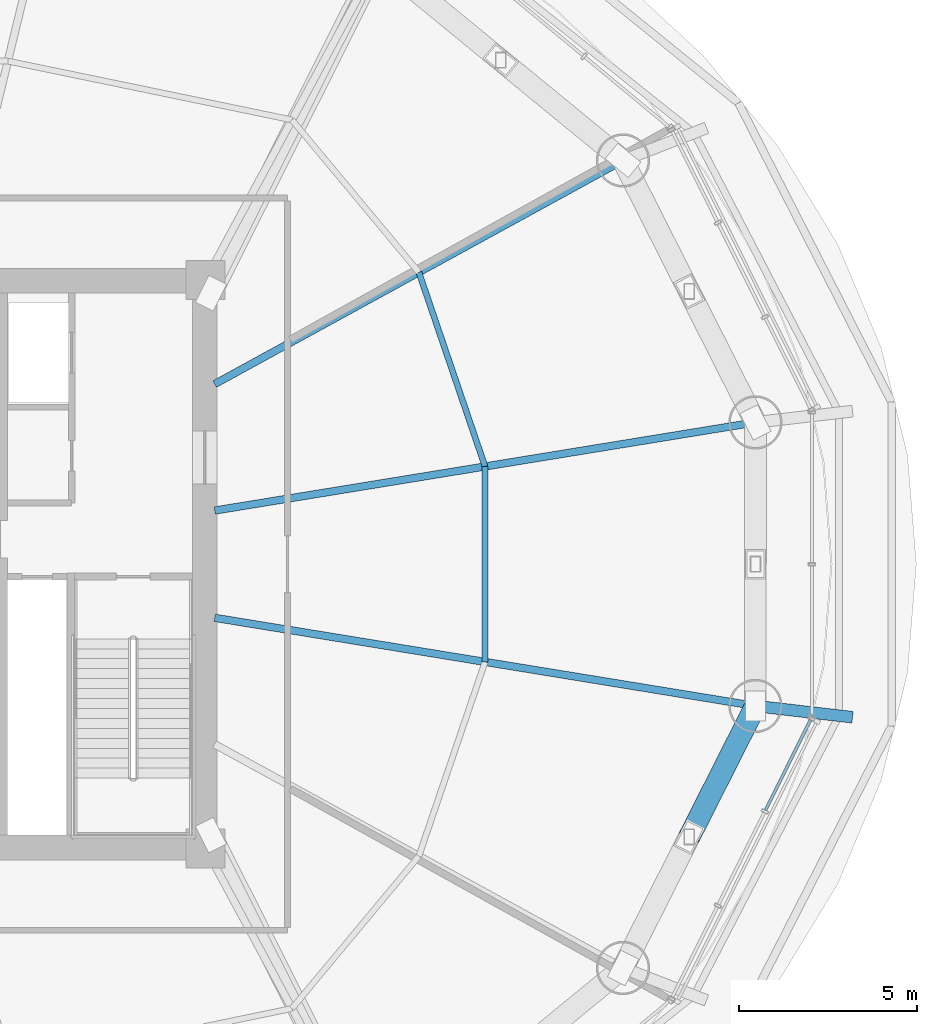
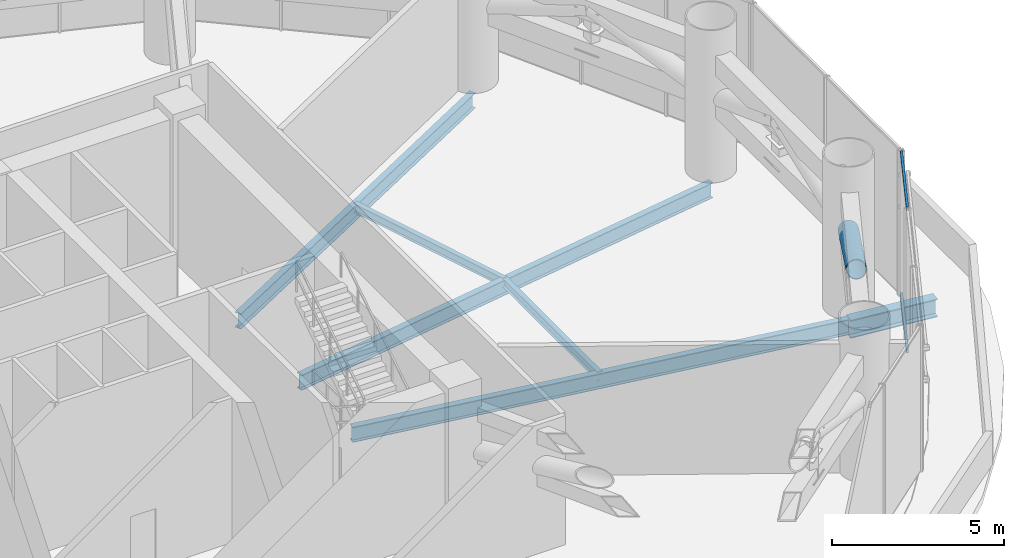
# One storey, part 16 of 33: 6 beams, 3 members, 1 element without a shape of its own.
"""IFC4 building model written with IfcOpenShell, lengths in metres."""

import ifcopenshell
import ifcopenshell.guid

model = None  # the IFC model being written
_history = None  # IfcOwnerHistory: only IFC2X3 demands one
_inside = {}  # id of a spatial element -> (the spatial element, [elements in it])
_under = {}  # id of a project, library or spatial element -> (it, [spatial elements below it])
_declared = {}  # id of a project -> (the project, [libraries it declares])
_typed = {}  # id of a type object -> (the type object, [elements of that type])
_made_of = {}  # id of a material, layer set ... -> (it, [elements and type objects made of it])


def new_model(schema):
    """Start an empty IFC model of exactly this schema.

    Asked for "IFC4X3", IfcOpenShell would pick the latest addendum, in which some entities
    have other attributes; the version numbers below select the first issue.
    IFC2X3 requires an IfcOwnerHistory on every rooted entity: one is made here for all.
    """
    global model, _history
    if schema == "IFC4X3":
        model = ifcopenshell.file(schema_version=(4, 3, 0, 0))
    else:
        model = ifcopenshell.file(schema=schema)
    _inside.clear()
    _under.clear()
    _declared.clear()
    _typed.clear()
    _made_of.clear()
    _history = None
    if model.schema == "IFC2X3":
        org = make("IfcOrganization", Name="unknown")
        user = make(
            "IfcPersonAndOrganization",
            ThePerson=make("IfcPerson", FamilyName="unknown"),
            TheOrganization=org,
        )
        app = make(
            "IfcApplication",
            ApplicationDeveloper=org,
            Version="unknown",
            ApplicationFullName="unknown",
            ApplicationIdentifier="unknown",
        )
        _history = make(
            "IfcOwnerHistory",
            OwningUser=user,
            OwningApplication=app,
            ChangeAction="ADDED",
            CreationDate=0,
        )
    return model


def make(cls, **values):
    """One entity of the class cls with the attributes given. An attribute that is None is left unset."""
    return model.create_entity(
        cls, **{name: value for name, value in values.items() if value is not None}
    )


def rooted(cls, **values):
    """An entity with a GlobalId (a new one), such as an element, a storey or a relation."""
    return make(cls, GlobalId=ifcopenshell.guid.new(), OwnerHistory=_history, **values)


def si_unit(unit_type, name, prefix=None):
    """IfcSIUnit, for example si_unit("LENGTHUNIT", "METRE", prefix="MILLI")."""
    return make("IfcSIUnit", UnitType=unit_type, Prefix=prefix, Name=name)


def assignment(units):
    """IfcUnitAssignment: the units of a project."""
    return None if units is None else make("IfcUnitAssignment", Units=units)


def point(xyz):
    """IfcCartesianPoint."""
    return None if xyz is None else make("IfcCartesianPoint", Coordinates=xyz)


def direction(xyz):
    """IfcDirection."""
    return None if xyz is None else make("IfcDirection", DirectionRatios=xyz)


def frame(location, z_axis=None, x_axis=None):
    """IfcAxis2Placement3D, a coordinate frame: its origin and axes. An axis left out is left unset."""
    return make(
        "IfcAxis2Placement3D",
        Location=point(location),
        Axis=direction(z_axis),
        RefDirection=direction(x_axis),
    )


def frame_2d(location, x_axis=None):
    """IfcAxis2Placement2D, a coordinate frame in the plane: its origin and x axis."""
    return make(
        "IfcAxis2Placement2D", Location=point(location), RefDirection=direction(x_axis)
    )


def origin():
    """The frame at (0, 0, 0) with its axes left unset."""
    return frame((0.0, 0.0, 0.0))


def origin_2d():
    """The frame at (0, 0) in the plane with its x axis left unset."""
    return frame_2d((0.0, 0.0))


def place(relative_to, where):
    """IfcLocalPlacement: puts the frame where relative to a parent placement (None: the world)."""
    return make(
        "IfcLocalPlacement", PlacementRelTo=relative_to, RelativePlacement=where
    )


def context(
    kind, dimensions, precision=None, world=None, true_north=None, identifier=None
):
    """IfcGeometricRepresentationContext, for example the 3D "Model" context."""
    return make(
        "IfcGeometricRepresentationContext",
        ContextIdentifier=identifier,
        ContextType=kind,
        CoordinateSpaceDimension=dimensions,
        Precision=precision,
        WorldCoordinateSystem=world,
        TrueNorth=true_north,
    )


def subcontext(parent, identifier, kind, view, scale=None):
    """IfcGeometricRepresentationSubContext, for example "Body" below "Model"."""
    return make(
        "IfcGeometricRepresentationSubContext",
        ContextIdentifier=identifier,
        ContextType=kind,
        ParentContext=parent,
        TargetScale=scale,
        TargetView=view,
    )


def project(units=None, contexts=None):
    """IfcProject with its units and contexts."""
    return rooted(
        "IfcProject",
        Name="project",
        RepresentationContexts=contexts,
        UnitsInContext=assignment(units),
    )


def spatial(cls, under=None, at=None, **own):
    """A site, building, storey or space (cls), placed at a placement, below another one or the project."""
    s = rooted(cls, ObjectPlacement=at, **own)
    if under is not None:
        _under.setdefault(under.id(), (under, []))[1].append(s)
    return s


def profile(cls, at=None, kind="AREA", **sizes):
    """A parametric profile (cls). Its sizes go by their IFC names, for example OverallWidth=200.0."""
    return make(cls, ProfileType=kind, Position=at, **sizes)


def hollow_rectangle(**sizes):
    """IfcRectangleHollowProfileDef."""
    return profile("IfcRectangleHollowProfileDef", **sizes)


def hollow_circle(**sizes):
    """IfcCircleHollowProfileDef."""
    return profile("IfcCircleHollowProfileDef", **sizes)


def i_section(**sizes):
    """IfcIShapeProfileDef."""
    return profile("IfcIShapeProfileDef", **sizes)


def extrude(swept, where, along, depth):
    """IfcExtrudedAreaSolid: the profile swept, set in the frame where, extruded along a direction by depth."""
    return make(
        "IfcExtrudedAreaSolid",
        SweptArea=swept,
        Position=where,
        ExtrudedDirection=direction(along),
        Depth=depth,
    )


def shape(context_of_items, identifier, shape_type, items):
    """IfcShapeRepresentation: the items that make up one representation, for example the "Body"."""
    return make(
        "IfcShapeRepresentation",
        ContextOfItems=context_of_items,
        RepresentationIdentifier=identifier,
        RepresentationType=shape_type,
        Items=items,
    )


def source(mapping_origin, context_of_items, identifier, shape_type, items):
    """IfcRepresentationMap: a shape defined once, which mapped items show again and again."""
    return make(
        "IfcRepresentationMap",
        MappingOrigin=mapping_origin,
        MappedRepresentation=shape(context_of_items, identifier, shape_type, items),
    )


def transform(
    local_origin,
    x_axis=None,
    y_axis=None,
    z_axis=None,
    scale=None,
    scale2=None,
    scale3=None,
    uniform=True,
):
    """IfcCartesianTransformationOperator3D, or its non-uniform kind. x_axis, y_axis, z_axis: its Axis1, 2, 3."""
    if uniform:
        return make(
            "IfcCartesianTransformationOperator3D",
            Axis1=direction(x_axis),
            Axis2=direction(y_axis),
            LocalOrigin=point(local_origin),
            Scale=scale,
            Axis3=direction(z_axis),
        )
    return make(
        "IfcCartesianTransformationOperator3DnonUniform",
        Axis1=direction(x_axis),
        Axis2=direction(y_axis),
        LocalOrigin=point(local_origin),
        Scale=scale,
        Axis3=direction(z_axis),
        Scale2=scale2,
        Scale3=scale3,
    )


def mapped(mapping_source, mapping_target):
    """IfcMappedItem: shows the shape of a source again, moved by a transform."""
    return make(
        "IfcMappedItem", MappingSource=mapping_source, MappingTarget=mapping_target
    )


def material(Name=None, Category=None):
    """IfcMaterial."""
    return make("IfcMaterial", Name=Name, Category=Category)


def material_profile(
    of_material, cross_section, Name=None, Category=None, Priority=None
):
    """IfcMaterialProfile: a cross section and its material."""
    return make(
        "IfcMaterialProfile",
        Name=Name,
        Material=of_material,
        Profile=cross_section,
        Priority=Priority,
        Category=Category,
    )


def profile_set(profiles, Name=None, composite=None):
    """IfcMaterialProfileSet."""
    return make(
        "IfcMaterialProfileSet",
        Name=Name,
        MaterialProfiles=profiles,
        CompositeProfile=composite,
    )


def made_of(thing, what):
    """Note that an element or type object is made of a material, layer set ...; save() writes the relation."""
    if what is not None:
        _made_of.setdefault(what.id(), (what, []))[1].append(thing)
    return thing


def type_object(cls, material=None, **own):
    """A type object (cls), such as IfcWallType, which elements share."""
    return made_of(rooted(cls, **own), material)


def element(
    cls,
    number,
    at=None,
    inside=None,
    cuts=None,
    type_object=None,
    material=None,
    context=None,
    identifier="Body",
    shape_type=None,
    held_by="IfcProductDefinitionShape",
    body=None,
    shapes=None,
    **own,
):
    """One element of the class cls, such as IfcWall. Its Tag is "e" and its number.

    at: its placement. inside: the storey or other place that contains it. cuts: it is an
    opening in that element (IfcRelVoidsElement). A single representation is given by context,
    identifier, shape_type and body (its items); several are given by shapes. held_by: the class
    of the entity that holds the representations. save() writes the other relations.
    """
    e = rooted(cls, Tag="e%d" % number, ObjectPlacement=at, **own)
    if body is not None:
        shapes = [shape(context, identifier, shape_type, body)]
    if shapes is not None:
        e.Representation = make(held_by, Representations=shapes)
    if inside is not None:
        _inside.setdefault(inside.id(), (inside, []))[1].append(e)
    if cuts is not None:
        rooted(
            "IfcRelVoidsElement", RelatingBuildingElement=cuts, RelatedOpeningElement=e
        )
    if type_object is not None:
        _typed.setdefault(type_object.id(), (type_object, []))[1].append(e)
    return made_of(e, material)


def aggregate(whole, parts):
    """IfcRelAggregates: a whole, such as a stair, and the parts it consists of."""
    return rooted("IfcRelAggregates", RelatingObject=whole, RelatedObjects=parts)


def save(model, path):
    """Write the relations noted so far, then the file.

    IfcRelAggregates (storeys below a building ...), IfcRelContainedInSpatialStructure (elements
    in a storey), IfcRelDefinesByType, IfcRelAssociatesMaterial and IfcRelDeclares: one each for
    every whole, place, type object, material and project.
    """
    for whole, parts in _under.values():
        aggregate(whole, parts)
    for where, things in _inside.values():
        rooted(
            "IfcRelContainedInSpatialStructure",
            RelatedElements=things,
            RelatingStructure=where,
        )
    for kind, things in _typed.values():
        rooted("IfcRelDefinesByType", RelatedObjects=things, RelatingType=kind)
    for what, things in _made_of.values():
        rooted("IfcRelAssociatesMaterial", RelatedObjects=things, RelatingMaterial=what)
    for by, libraries in _declared.values():
        rooted("IfcRelDeclares", RelatingContext=by, RelatedDefinitions=libraries)
    model.write(path)


model = new_model("IFC4")

# Units and contexts
model_context = context("Model", 3, precision=1e-05, world=origin(), true_north=direction((-0.2419218956, 0.970295726276)))
body_context = subcontext(model_context, "Body", "Model", "MODEL_VIEW")
ifc_project = project(units=[si_unit("LENGTHUNIT", "METRE"), si_unit("AREAUNIT", "SQUARE_METRE"), si_unit("VOLUMEUNIT", "CUBIC_METRE"), si_unit("PLANEANGLEUNIT", "RADIAN"), si_unit("MASSUNIT", "GRAM", prefix="KILO")], contexts=[model_context])

# Site, building, storey
site_placement = place(None, origin())
site = spatial("IfcSite", under=ifc_project, at=site_placement, CompositionType="ELEMENT")
building_placement = place(site_placement, origin())
building = spatial("IfcBuilding", under=site, at=building_placement, Name="Cobrevalo Terracotta Tower", CompositionType="ELEMENT")
storey_placement = place(building_placement, frame((0.0, 0.0, 74.39990234375)))
storey = spatial("IfcBuildingStorey", under=building, at=storey_placement, Name="L19", CompositionType="ELEMENT", Elevation=74.39990234375)

# Beams
ifc_material_1 = material(Name="Steel S355", Category="steel")
ifc_material_profile_1 = material_profile(ifc_material_1, i_section(OverallWidth=0.2109375, OverallDepth=0.5390625, WebThickness=0.01171875, FlangeThickness=0.018798828125, at=origin_2d()), Name="W 530x109")
ifc_profile_set_1 = profile_set([ifc_material_profile_1], Name="Steel S355")
beam_type_1 = type_object("IfcBeamType", Name="Structural Beam W 530x109 (Steel S355)", PredefinedType="BEAM", material=ifc_profile_set_1)
beam_1_placement = place(storey_placement, frame((62.470703125, 30.78955078125, -0.719482421875), z_axis=(-0.986968986681, -0.160910594212, 0.0), x_axis=(0.160910594212, -0.986968986681, 0.0)))
element("IfcBeam", 1, at=beam_1_placement, inside=storey, type_object=beam_type_1, Name="L19 radial floor girder 01", PredefinedType="BEAM", context=body_context, shape_type="SweptSolid", body=[
    extrude(i_section(OverallWidth=0.2109375, OverallDepth=0.5390625, WebThickness=0.01171875, FlangeThickness=0.018798828125, at=origin_2d()), origin(), (0.0, 0.0, 1.0), 15.416748046875),
])
beam_2_placement = place(storey_placement, frame((58.7451171875, 38.161376953125, -0.719482421875), z_axis=(-0.877081687032, -0.480341247732, 0.0), x_axis=(0.480341247732, -0.877081687032, 0.0)))
element("IfcBeam", 2, at=beam_2_placement, inside=storey, type_object=beam_type_1, Name="L19 radial floor girder 02", PredefinedType="BEAM", context=body_context, shape_type="SweptSolid", body=[
    extrude(i_section(OverallWidth=0.2109375, OverallDepth=0.5390625, WebThickness=0.01171875, FlangeThickness=0.018798828125, at=origin_2d()), origin(), (0.0, 0.0, 1.0), 13.1005859375),
])
beam_3_placement = place(storey_placement, frame((62.470703125, 22.810302734375, -0.719482421875), z_axis=(-0.986968986681, 0.160910594212, 0.0), x_axis=(-0.160910594212, -0.986968986681, 0.0)))
element("IfcBeam", 3, at=beam_3_placement, inside=storey, type_object=beam_type_1, Name="L19 radial floor girder 16", PredefinedType="BEAM", context=body_context, shape_type="SweptSolid", body=[
    extrude(i_section(OverallWidth=0.2109375, OverallDepth=0.5390625, WebThickness=0.01171875, FlangeThickness=0.018798828125, at=origin_2d()), origin(), (0.0, 0.0, 1.0), 15.416748046875),
])
ifc_material_profile_2 = material_profile(ifc_material_1, i_section(OverallWidth=0.3291015625, OverallDepth=0.635009765625, WebThickness=0.017822265625, FlangeThickness=0.031005859375, at=origin_2d()), Name="W 610x241")
ifc_profile_set_2 = profile_set([ifc_material_profile_2], Name="Steel S355")
beam_type_2 = type_object("IfcBeamType", Name="Structural Beam W 610x241 (Steel S355)", PredefinedType="BEAM", material=ifc_profile_set_2)
beam_4_placement = place(storey_placement, frame((65.201904296875, 22.493408203125, -0.767333984375), z_axis=(-0.99333601579, 0.115254326316, 0.0), x_axis=(-0.115254326316, -0.99333601579, 0.0)))
element("IfcBeam", 4, at=beam_4_placement, inside=storey, type_object=beam_type_2, Name="L19 setback step-link girder 16", PredefinedType="BEAM", context=body_context, shape_type="SweptSolid", body=[
    extrude(i_section(OverallWidth=0.3291015625, OverallDepth=0.635009765625, WebThickness=0.017822265625, FlangeThickness=0.031005859375, at=origin_2d()), origin(), (0.0, 0.0, 1.0), 2.74951171875),
])
ifc_material_profile_3 = material_profile(ifc_material_1, i_section(OverallWidth=0.1650390625, OverallDepth=0.31005859375, WebThickness=0.005859375, FlangeThickness=0.009765625, at=origin_2d()), Name="W 310x38.7")
ifc_profile_set_3 = profile_set([ifc_material_profile_3], Name="Steel S355")
beam_type_3 = type_object("IfcBeamType", Name="Structural Joist W 310x38.7 (Steel S355)", PredefinedType="JOIST", material=ifc_profile_set_3)
beam_5_placement = place(storey_placement, frame((54.86279296875, 29.54931640625, -0.60498046875), z_axis=(-0.322587842666, 0.94653953101, 0.0), x_axis=(-0.94653953101, -0.322587842666, 0.0)))
element("IfcBeam", 5, at=beam_5_placement, inside=storey, type_object=beam_type_3, Name="L19 circumferential secondary floor joist 01", PredefinedType="JOIST", context=body_context, shape_type="SweptSolid", body=[
    extrude(i_section(OverallWidth=0.1650390625, OverallDepth=0.31005859375, WebThickness=0.005859375, FlangeThickness=0.009765625, at=origin_2d()), origin(), (0.0, 0.0, 1.0), 5.7744140625),
])
beam_6_placement = place(storey_placement, frame((54.86279296875, 24.05078125, -0.60498046875), z_axis=(0.0, 1.0, 0.0), x_axis=(-1.0, 0.0, 0.0)))
element("IfcBeam", 6, at=beam_6_placement, inside=storey, type_object=beam_type_3, Name="L19 circumferential secondary floor joist 16", PredefinedType="JOIST", context=body_context, shape_type="SweptSolid", body=[
    extrude(i_section(OverallWidth=0.1650390625, OverallDepth=0.31005859375, WebThickness=0.005859375, FlangeThickness=0.009765625, at=origin_2d()), origin(), (0.0, 0.0, 1.0), 5.49853515625),
])

# Member
ifc_material_profile_4 = material_profile(ifc_material_1, hollow_circle(Radius=0.304931640625, WallThickness=0.02490234375, at=origin_2d()), Name="CHS 610x25")
ifc_profile_set_4 = profile_set([ifc_material_profile_4], Name="Steel S355")
member_type_1 = type_object("IfcMemberType", Name="Steel Brace CHS 610x25 (Steel S355)", PredefinedType="BRACE", material=ifc_profile_set_4)
shared_shape_1 = source(origin(), body_context, "Body", "SweptSolid", [
    extrude(hollow_circle(Radius=0.304931640625, WallThickness=0.02490234375, at=origin_2d()), origin(), (0.0, 0.0, 1.0), 4.39208984375),
])
member_1_placement = place(storey_placement, frame((62.470703125, 22.810302734375, 2.650146484375), z_axis=(-0.424132810523, -0.839204854584, 0.340362411381), x_axis=(0.892491666612, -0.451063881317, 0.0)))
element("IfcMember", 7, at=member_1_placement, inside=storey, type_object=member_type_1, Name="L19 belt truss diagonal brace 15-D2", PredefinedType="BRACE", context=body_context, shape_type="MappedRepresentation", body=[
    mapped(shared_shape_1, transform((0.0, 0.0, 0.0), scale=1.0)),
])

# Curtain wall, members
ifc_material_2 = material(Name="Anodized aluminium", Category="aluminium")
curtain_wall_type = type_object("IfcCurtainWallType", Name="Belt-truss plant acoustic weather-louvre curtain wall CW-LV", PredefinedType="NOTDEFINED", material=ifc_material_2)
curtain_wall_placement = place(storey_placement, origin())
curtain_wall = element("IfcCurtainWall", 8, at=curtain_wall_placement, inside=storey, type_object=curtain_wall_type, Name="L19 curtain wall CW-LV-L19-S15", PredefinedType="NOTDEFINED")
ifc_material_profile_5 = material_profile(ifc_material_2, hollow_rectangle(XDim=0.074951171875, YDim=0.14990234375, WallThickness=0.00439453125, at=origin_2d()), Name="CWT 75x150")
ifc_profile_set_5 = profile_set([ifc_material_profile_5], Name="Anodized aluminium")
member_type_2 = type_object("IfcMemberType", Name="Tower unitised aluminium transom 75x150", PredefinedType="USERDEFINED", material=ifc_profile_set_5)
shared_shape_2 = source(origin(), body_context, "Body", "SweptSolid", [
    extrude(hollow_rectangle(XDim=0.074951171875, YDim=0.14990234375, WallThickness=0.00439453125, at=origin_2d()), origin(), (0.0, 0.0, 1.0), 2.843505859375),
])
member_2_placement = place(storey_placement, frame((62.7548828125, 19.878173828125, 0.050048828125), z_axis=(0.446217335725, 0.894924627719, 0.0), x_axis=(-0.894924627719, 0.446217335725, 0.0)))
member_2 = element("IfcMember", 9, at=member_2_placement, type_object=member_type_2, Name="CW-LV-L19-S15 transom B03-T1", ObjectType="TRANSOM", PredefinedType="USERDEFINED", context=body_context, shape_type="MappedRepresentation", body=[
    mapped(shared_shape_2, transform((0.0, 0.0, 0.0), scale=1.0)),
])
member_3_placement = place(storey_placement, frame((62.7548828125, 19.878173828125, 5.0751953125), z_axis=(0.446217335725, 0.894924627719, 0.0), x_axis=(-0.894924627719, 0.446217335725, 0.0)))
member_3 = element("IfcMember", 10, at=member_3_placement, type_object=member_type_2, Name="CW-LV-L19-S15 transom B03-T2", ObjectType="TRANSOM", PredefinedType="USERDEFINED", context=body_context, shape_type="MappedRepresentation", body=[
    mapped(shared_shape_2, transform((0.0, 0.0, 0.0), scale=1.0)),
])
aggregate(curtain_wall, [member_2, member_3])

save(model, "model.ifc")
